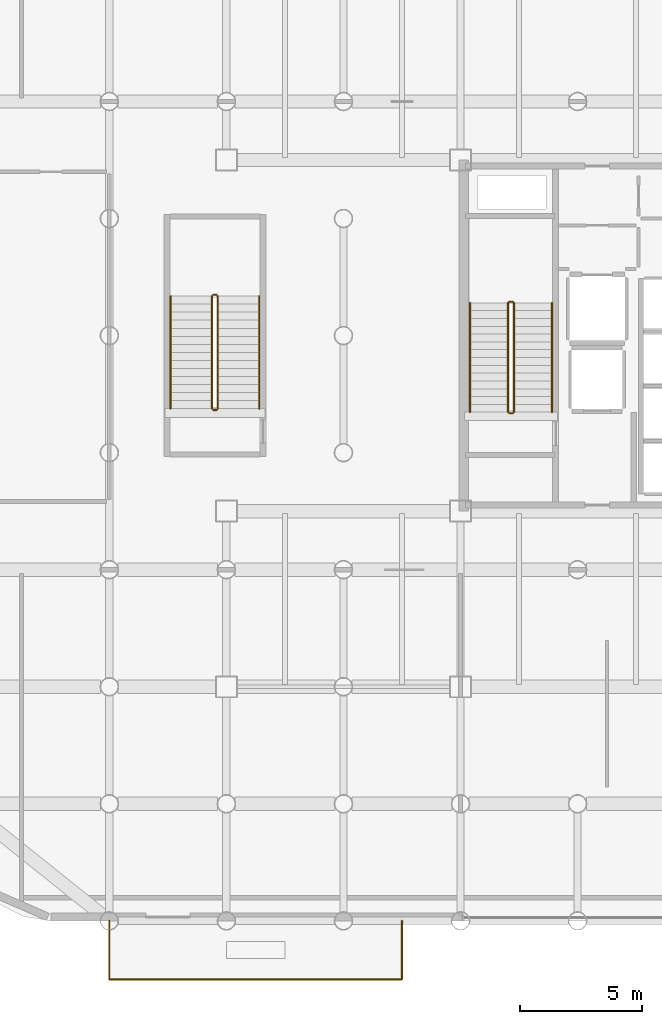
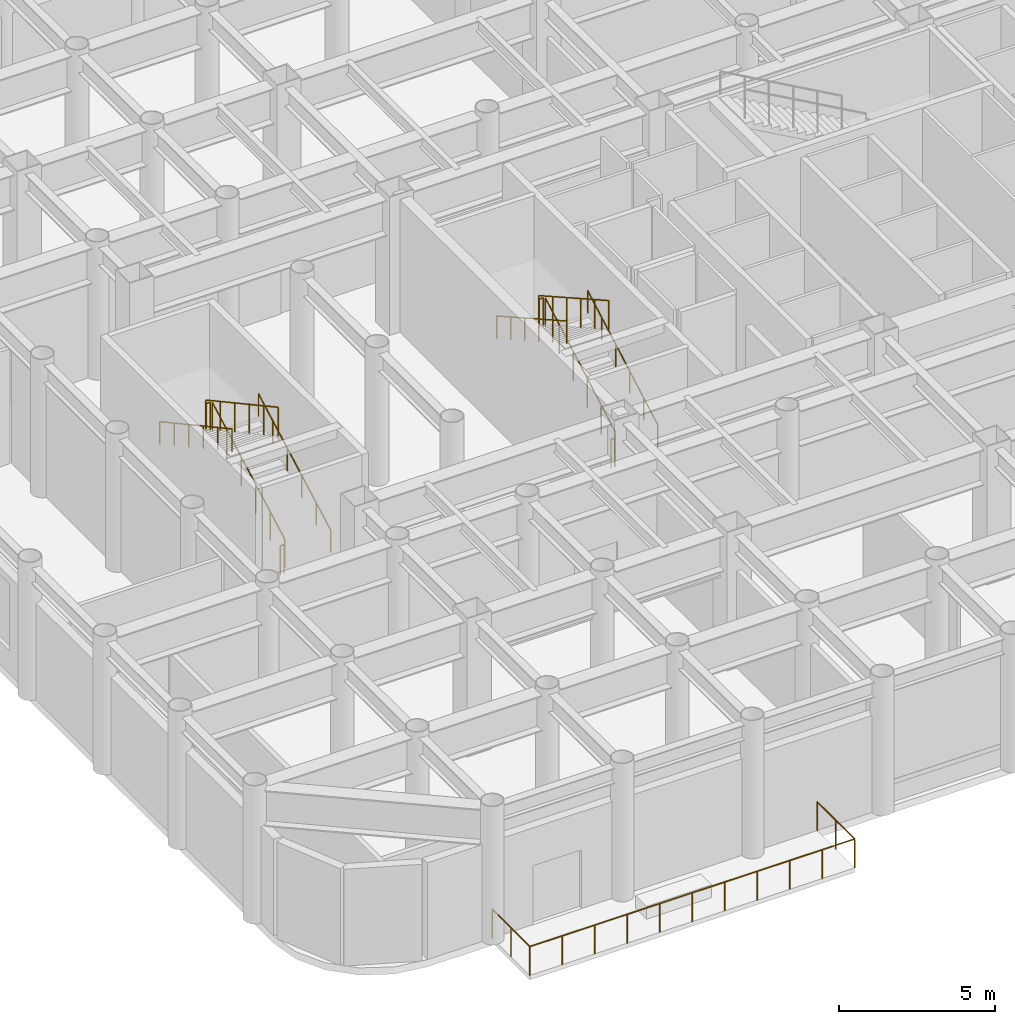
# One storey, part 16 of 17: 15 railings.
"""IFC4 building model written with IfcOpenShell, lengths in metres."""

from ifc_helpers import new_model, si_unit, direction, frame, origin, origin_2d, place, context, subcontext, project, spatial, circle, extrude, material, layer, layer_set, type_object, element, save


model = new_model("IFC4")

# Units and contexts
model_context = context("Model", 3, precision=1e-05, world=origin(), true_north=direction((0.0, 1.0)))
body_context = subcontext(model_context, "Body", "Model", "MODEL_VIEW")
ifc_project = project(units=[si_unit("LENGTHUNIT", "METRE"), si_unit("AREAUNIT", "SQUARE_METRE"), si_unit("VOLUMEUNIT", "CUBIC_METRE"), si_unit("PLANEANGLEUNIT", "RADIAN"), si_unit("MASSUNIT", "GRAM", prefix="KILO")], contexts=[model_context])

# Site, building, storey
site_placement = place(None, origin())
site = spatial("IfcSite", under=ifc_project, at=site_placement, CompositionType="ELEMENT")
building_placement = place(site_placement, origin())
building = spatial("IfcBuilding", under=site, at=building_placement, Name="Kallvorn Hotel Tower", CompositionType="ELEMENT")
storey_placement = place(building_placement, frame((0.0, 0.0, 19.199951171875)))
storey = spatial("IfcBuildingStorey", under=building, at=storey_placement, Name="L03", CompositionType="ELEMENT", Elevation=19.199951171875)

# Railings
ifc_material_1 = material(Name="Galvanised painted steel S275JR balustrade", Category="steel")
ifc_layer_1 = layer(ifc_material_1, 0.06005859375)
ifc_layer_set_1 = layer_set([ifc_layer_1], Name="RL_BALUSTRADE_1150")
railing_type_1 = type_object("IfcRailingType", Name="RL_BALUSTRADE_1150", PredefinedType="BALUSTRADE", material=ifc_layer_set_1)
railing_1_placement = place(storey_placement, frame((-28.800048828125, -24.0, 0.0)))
element("IfcRailing", 1, at=railing_1_placement, inside=storey, type_object=railing_type_1, Name="L03 Exterior Safety Guardrail TER-L03-S-01", PredefinedType="BALUSTRADE", context=body_context, shape_type="SweptSolid", body=[
    extrude(circle(Radius=0.02392578125, at=origin_2d()), frame((0.0, 0.0, 1.1259765625), z_axis=(0.0, -1.0, 0.0), x_axis=(1.0, 0.0, 0.0)), (0.0, 0.0, 1.0), 2.39990234375),
    extrude(circle(Radius=0.02099609375, at=origin_2d()), origin(), (0.0, 0.0, 1.0), 1.101806640625),
    extrude(circle(Radius=0.02099609375, at=origin_2d()), frame((0.0, -1.199951171875, 0.0)), (0.0, 0.0, 1.0), 1.101806640625),
    extrude(circle(Radius=0.02099609375, at=origin_2d()), frame((0.0, -2.39990234375, 0.0)), (0.0, 0.0, 1.0), 1.101806640625),
])
railing_2_placement = place(storey_placement, frame((-28.800048828125, -26.39990234375, 0.0)))
element("IfcRailing", 2, at=railing_2_placement, inside=storey, type_object=railing_type_1, Name="L03 Exterior Safety Guardrail TER-L03-S-02", PredefinedType="BALUSTRADE", context=body_context, shape_type="SweptSolid", body=[
    extrude(circle(Radius=0.02392578125, at=origin_2d()), frame((0.0, 0.0, 1.1259765625), z_axis=(1.0, 0.0, 0.0), x_axis=(0.0, 1.0, 0.0)), (0.0, 0.0, 1.0), 12.0),
    extrude(circle(Radius=0.02099609375, at=origin_2d()), origin(), (0.0, 0.0, 1.0), 1.101806640625),
    extrude(circle(Radius=0.02099609375, at=origin_2d()), frame((1.199951171875, 0.0, 0.0)), (0.0, 0.0, 1.0), 1.101806640625),
    extrude(circle(Radius=0.02099609375, at=origin_2d()), frame((2.39990234375, 0.0, 0.0)), (0.0, 0.0, 1.0), 1.101806640625),
    extrude(circle(Radius=0.02099609375, at=origin_2d()), frame((3.60009765625, 0.0, 0.0)), (0.0, 0.0, 1.0), 1.101806640625),
    extrude(circle(Radius=0.02099609375, at=origin_2d()), frame((4.800048828125, 0.0, 0.0)), (0.0, 0.0, 1.0), 1.101806640625),
    extrude(circle(Radius=0.02099609375, at=origin_2d()), frame((6.0, 0.0, 0.0)), (0.0, 0.0, 1.0), 1.101806640625),
    extrude(circle(Radius=0.02099609375, at=origin_2d()), frame((7.199951171875, 0.0, 0.0)), (0.0, 0.0, 1.0), 1.101806640625),
    extrude(circle(Radius=0.02099609375, at=origin_2d()), frame((8.39990234375, 0.0, 0.0)), (0.0, 0.0, 1.0), 1.101806640625),
    extrude(circle(Radius=0.02099609375, at=origin_2d()), frame((9.60009765625, 0.0, 0.0)), (0.0, 0.0, 1.0), 1.101806640625),
    extrude(circle(Radius=0.02099609375, at=origin_2d()), frame((10.800048828125, 0.0, 0.0)), (0.0, 0.0, 1.0), 1.101806640625),
    extrude(circle(Radius=0.02099609375, at=origin_2d()), frame((12.0, 0.0, 0.0)), (0.0, 0.0, 1.0), 1.101806640625),
])
railing_3_placement = place(storey_placement, frame((-16.800048828125, -26.39990234375, 0.0)))
element("IfcRailing", 3, at=railing_3_placement, inside=storey, type_object=railing_type_1, Name="L03 Exterior Safety Guardrail TER-L03-S-03", PredefinedType="BALUSTRADE", context=body_context, shape_type="SweptSolid", body=[
    extrude(circle(Radius=0.02392578125, at=origin_2d()), frame((0.0, 0.0, 1.1259765625), z_axis=(0.0, 1.0, 0.0), x_axis=(-1.0, 0.0, 0.0)), (0.0, 0.0, 1.0), 2.39990234375),
    extrude(circle(Radius=0.02099609375, at=origin_2d()), origin(), (0.0, 0.0, 1.0), 1.101806640625),
    extrude(circle(Radius=0.02099609375, at=origin_2d()), frame((0.0, 1.199951171875, 0.0)), (0.0, 0.0, 1.0), 1.101806640625),
    extrude(circle(Radius=0.02099609375, at=origin_2d()), frame((0.0, 2.39990234375, 0.0)), (0.0, 0.0, 1.0), 1.101806640625),
])
ifc_material_2 = material(Name="Brushed stainless-steel tubular railing", Category="steel")
ifc_layer_2 = layer(ifc_material_2, 0.050048828125)
ifc_layer_set_2 = layer_set([ifc_layer_2], Name="RL_STAIR_GUARD")
railing_type_2 = type_object("IfcRailingType", Name="RL_STAIR_GUARD", PredefinedType="GUARDRAIL", material=ifc_layer_set_2)
railing_4_placement = place(storey_placement, frame((-12.2099609375, -3.139892578125, 0.179931640625)))
element("IfcRailing", 4, at=railing_4_placement, inside=storey, type_object=railing_type_2, Name="L03 ST1 stair guard 1", PredefinedType="GUARDRAIL", context=body_context, shape_type="SweptSolid", body=[
    extrude(circle(Radius=0.02392578125, at=origin_2d()), frame((0.0, 0.0, 1.1259765625), z_axis=(0.0, 0.871573000172, 0.490265749743), x_axis=(-1.0, 0.0, 0.0)), (0.0, 0.0, 1.0), 5.14013671875),
    extrude(circle(Radius=0.02099609375, at=origin_2d()), origin(), (0.0, 0.0, 1.0), 1.101806640625),
    extrude(circle(Radius=0.02099609375, at=origin_2d()), frame((0.0, 0.89599609375, 0.50390625)), (0.0, 0.0, 1.0), 1.101806640625),
    extrude(circle(Radius=0.02099609375, at=origin_2d()), frame((0.0, 1.7919921875, 1.008056640625)), (0.0, 0.0, 1.0), 1.101806640625),
    extrude(circle(Radius=0.02099609375, at=origin_2d()), frame((0.0, 2.68798828125, 1.511962890625)), (0.0, 0.0, 1.0), 1.101806640625),
    extrude(circle(Radius=0.02099609375, at=origin_2d()), frame((0.0, 3.583984375, 2.01611328125)), (0.0, 0.0, 1.0), 1.101806640625),
    extrude(circle(Radius=0.02099609375, at=origin_2d()), frame((0.0, 4.47998046875, 2.52001953125)), (0.0, 0.0, 1.0), 1.101806640625),
])
railing_5_placement = place(storey_placement, frame((-12.260009765625, 1.389892578125, 2.699951171875)))
element("IfcRailing", 5, at=railing_5_placement, inside=storey, type_object=railing_type_2, Name="L03 ST1 stair guard 2", PredefinedType="GUARDRAIL", context=body_context, shape_type="SweptSolid", body=[
    extrude(circle(Radius=0.02392578125, at=origin_2d()), frame((0.0, 0.0, 1.1259765625), z_axis=(-1.0, 0.0, 0.0), x_axis=(0.0, -1.0, 0.0)), (0.0, 0.0, 1.0), 0.139892578125),
    extrude(circle(Radius=0.02099609375, at=origin_2d()), origin(), (0.0, 0.0, 1.0), 1.101806640625),
    extrude(circle(Radius=0.02099609375, at=origin_2d()), frame((-0.139892578125, 0.0, 0.0)), (0.0, 0.0, 1.0), 1.101806640625),
])
railing_6_placement = place(storey_placement, frame((-12.449951171875, 1.340087890625, 2.880126953125)))
element("IfcRailing", 6, at=railing_6_placement, inside=storey, type_object=railing_type_2, Name="L03 ST1 stair guard 3", PredefinedType="GUARDRAIL", context=body_context, shape_type="SweptSolid", body=[
    extrude(circle(Radius=0.02392578125, at=origin_2d()), frame((0.0, 0.0, 1.1259765625), z_axis=(0.0, -0.871573000172, 0.490265749743), x_axis=(1.0, 0.0, 0.0)), (0.0, 0.0, 1.0), 5.14013671875),
    extrude(circle(Radius=0.02099609375, at=origin_2d()), origin(), (0.0, 0.0, 1.0), 1.101806640625),
    extrude(circle(Radius=0.02099609375, at=origin_2d()), frame((0.0, -0.89599609375, 0.50390625)), (0.0, 0.0, 1.0), 1.101806640625),
    extrude(circle(Radius=0.02099609375, at=origin_2d()), frame((0.0, -1.7919921875, 1.008056640625)), (0.0, 0.0, 1.0), 1.101806640625),
    extrude(circle(Radius=0.02099609375, at=origin_2d()), frame((0.0, -2.68798828125, 1.511962890625)), (0.0, 0.0, 1.0), 1.101806640625),
    extrude(circle(Radius=0.02099609375, at=origin_2d()), frame((0.0, -3.583984375, 2.01611328125)), (0.0, 0.0, 1.0), 1.101806640625),
    extrude(circle(Radius=0.02099609375, at=origin_2d()), frame((0.0, -4.47998046875, 2.52001953125)), (0.0, 0.0, 1.0), 1.101806640625),
])
railing_7_placement = place(storey_placement, frame((-12.260009765625, -3.18994140625, 0.0)))
element("IfcRailing", 7, at=railing_7_placement, inside=storey, type_object=railing_type_2, Name="L03 ST1 stair guard 4", PredefinedType="GUARDRAIL", context=body_context, shape_type="SweptSolid", body=[
    extrude(circle(Radius=0.02392578125, at=origin_2d()), frame((0.0, 0.0, 1.1259765625), z_axis=(-1.0, 0.0, 0.0), x_axis=(0.0, -1.0, 0.0)), (0.0, 0.0, 1.0), 0.139892578125),
    extrude(circle(Radius=0.02099609375, at=origin_2d()), origin(), (0.0, 0.0, 1.0), 1.101806640625),
    extrude(circle(Radius=0.02099609375, at=origin_2d()), frame((-0.139892578125, 0.0, 0.0)), (0.0, 0.0, 1.0), 1.101806640625),
])
railing_8_placement = place(storey_placement, frame((-24.35009765625, -3.0, 0.179931640625)))
element("IfcRailing", 8, at=railing_8_placement, inside=storey, type_object=railing_type_2, Name="L03 ST4 stair guard 1", PredefinedType="GUARDRAIL", context=body_context, shape_type="SweptSolid", body=[
    extrude(circle(Radius=0.02392578125, at=origin_2d()), frame((0.0, 0.0, 1.1259765625), z_axis=(0.0, 0.877899118682, 0.478845630049), x_axis=(-1.0, 0.0, 0.0)), (0.0, 0.0, 1.0), 5.2626953125),
    extrude(circle(Radius=0.02099609375, at=origin_2d()), origin(), (0.0, 0.0, 1.0), 1.101806640625),
    extrude(circle(Radius=0.02099609375, at=origin_2d()), frame((0.0, 0.924072265625, 0.50390625)), (0.0, 0.0, 1.0), 1.101806640625),
    extrude(circle(Radius=0.02099609375, at=origin_2d()), frame((0.0, 1.84814453125, 1.008056640625)), (0.0, 0.0, 1.0), 1.101806640625),
    extrude(circle(Radius=0.02099609375, at=origin_2d()), frame((0.0, 2.77197265625, 1.511962890625)), (0.0, 0.0, 1.0), 1.101806640625),
    extrude(circle(Radius=0.02099609375, at=origin_2d()), frame((0.0, 3.696044921875, 2.01611328125)), (0.0, 0.0, 1.0), 1.101806640625),
    extrude(circle(Radius=0.02099609375, at=origin_2d()), frame((0.0, 4.6201171875, 2.52001953125)), (0.0, 0.0, 1.0), 1.101806640625),
])
railing_9_placement = place(storey_placement, frame((-24.39990234375, 1.669921875, 2.699951171875)))
element("IfcRailing", 9, at=railing_9_placement, inside=storey, type_object=railing_type_2, Name="L03 ST4 stair guard 2", PredefinedType="GUARDRAIL", context=body_context, shape_type="SweptSolid", body=[
    extrude(circle(Radius=0.02392578125, at=origin_2d()), frame((0.0, 0.0, 1.1259765625), z_axis=(-1.0, 0.0, 0.0), x_axis=(0.0, -1.0, 0.0)), (0.0, 0.0, 1.0), 0.14013671875),
    extrude(circle(Radius=0.02099609375, at=origin_2d()), origin(), (0.0, 0.0, 1.0), 1.101806640625),
    extrude(circle(Radius=0.02099609375, at=origin_2d()), frame((-0.14013671875, 0.0, 0.0)), (0.0, 0.0, 1.0), 1.101806640625),
])
railing_10_placement = place(storey_placement, frame((-24.590087890625, 1.6201171875, 2.880126953125)))
element("IfcRailing", 10, at=railing_10_placement, inside=storey, type_object=railing_type_2, Name="L03 ST4 stair guard 3", PredefinedType="GUARDRAIL", context=body_context, shape_type="SweptSolid", body=[
    extrude(circle(Radius=0.02392578125, at=origin_2d()), frame((0.0, 0.0, 1.1259765625), z_axis=(0.0, -0.877899118682, 0.478845630049), x_axis=(1.0, 0.0, 0.0)), (0.0, 0.0, 1.0), 5.2626953125),
    extrude(circle(Radius=0.02099609375, at=origin_2d()), origin(), (0.0, 0.0, 1.0), 1.101806640625),
    extrude(circle(Radius=0.02099609375, at=origin_2d()), frame((0.0, -0.924072265625, 0.50390625)), (0.0, 0.0, 1.0), 1.101806640625),
    extrude(circle(Radius=0.02099609375, at=origin_2d()), frame((0.0, -1.84814453125, 1.008056640625)), (0.0, 0.0, 1.0), 1.101806640625),
    extrude(circle(Radius=0.02099609375, at=origin_2d()), frame((0.0, -2.77197265625, 1.511962890625)), (0.0, 0.0, 1.0), 1.101806640625),
    extrude(circle(Radius=0.02099609375, at=origin_2d()), frame((0.0, -3.696044921875, 2.01611328125)), (0.0, 0.0, 1.0), 1.101806640625),
    extrude(circle(Radius=0.02099609375, at=origin_2d()), frame((0.0, -4.6201171875, 2.52001953125)), (0.0, 0.0, 1.0), 1.101806640625),
])
railing_11_placement = place(storey_placement, frame((-24.39990234375, -3.050048828125, 0.0)))
element("IfcRailing", 11, at=railing_11_placement, inside=storey, type_object=railing_type_2, Name="L03 ST4 stair guard 4", PredefinedType="GUARDRAIL", context=body_context, shape_type="SweptSolid", body=[
    extrude(circle(Radius=0.02392578125, at=origin_2d()), frame((0.0, 0.0, 1.1259765625), z_axis=(-1.0, 0.0, 0.0), x_axis=(0.0, -1.0, 0.0)), (0.0, 0.0, 1.0), 0.14013671875),
    extrude(circle(Radius=0.02099609375, at=origin_2d()), origin(), (0.0, 0.0, 1.0), 1.101806640625),
    extrude(circle(Radius=0.02099609375, at=origin_2d()), frame((-0.14013671875, 0.0, 0.0)), (0.0, 0.0, 1.0), 1.101806640625),
])
ifc_material_3 = material(Name="Brushed stainless-steel tubular railing", Category="steel")
ifc_layer_3 = layer(ifc_material_3, 0.050048828125)
ifc_layer_set_3 = layer_set([ifc_layer_3], Name="RL_STAIR_HAND")
railing_type_3 = type_object("IfcRailingType", Name="RL_STAIR_HAND", PredefinedType="HANDRAIL", material=ifc_layer_set_3)
railing_12_placement = place(storey_placement, frame((-10.64990234375, -3.139892578125, 0.179931640625)))
element("IfcRailing", 12, at=railing_12_placement, inside=storey, type_object=railing_type_3, Name="L03 ST1 stair handrail 1", PredefinedType="HANDRAIL", context=body_context, shape_type="SweptSolid", body=[
    extrude(circle(Radius=0.02392578125, at=origin_2d()), frame((0.0, 0.0, 0.8759765625), z_axis=(0.0, 0.871573000172, 0.490265749743), x_axis=(-1.0, 0.0, 0.0)), (0.0, 0.0, 1.0), 5.14013671875),
    extrude(circle(Radius=0.02099609375, at=origin_2d()), origin(), (0.0, 0.0, 1.0), 0.851806640625),
    extrude(circle(Radius=0.02099609375, at=origin_2d()), frame((0.0, 0.89599609375, 0.50390625)), (0.0, 0.0, 1.0), 0.851806640625),
    extrude(circle(Radius=0.02099609375, at=origin_2d()), frame((0.0, 1.7919921875, 1.008056640625)), (0.0, 0.0, 1.0), 0.851806640625),
    extrude(circle(Radius=0.02099609375, at=origin_2d()), frame((0.0, 2.68798828125, 1.511962890625)), (0.0, 0.0, 1.0), 0.851806640625),
    extrude(circle(Radius=0.02099609375, at=origin_2d()), frame((0.0, 3.583984375, 2.01611328125)), (0.0, 0.0, 1.0), 0.851806640625),
    extrude(circle(Radius=0.02099609375, at=origin_2d()), frame((0.0, 4.47998046875, 2.52001953125)), (0.0, 0.0, 1.0), 0.851806640625),
])
railing_13_placement = place(storey_placement, frame((-14.010009765625, 1.340087890625, 2.880126953125)))
element("IfcRailing", 13, at=railing_13_placement, inside=storey, type_object=railing_type_3, Name="L03 ST1 stair handrail 2", PredefinedType="HANDRAIL", context=body_context, shape_type="SweptSolid", body=[
    extrude(circle(Radius=0.02392578125, at=origin_2d()), frame((0.0, 0.0, 0.8759765625), z_axis=(0.0, -0.871573000172, 0.490265749743), x_axis=(1.0, 0.0, 0.0)), (0.0, 0.0, 1.0), 5.14013671875),
    extrude(circle(Radius=0.02099609375, at=origin_2d()), origin(), (0.0, 0.0, 1.0), 0.851806640625),
    extrude(circle(Radius=0.02099609375, at=origin_2d()), frame((0.0, -0.89599609375, 0.50390625)), (0.0, 0.0, 1.0), 0.851806640625),
    extrude(circle(Radius=0.02099609375, at=origin_2d()), frame((0.0, -1.7919921875, 1.008056640625)), (0.0, 0.0, 1.0), 0.851806640625),
    extrude(circle(Radius=0.02099609375, at=origin_2d()), frame((0.0, -2.68798828125, 1.511962890625)), (0.0, 0.0, 1.0), 0.851806640625),
    extrude(circle(Radius=0.02099609375, at=origin_2d()), frame((0.0, -3.583984375, 2.01611328125)), (0.0, 0.0, 1.0), 0.851806640625),
    extrude(circle(Radius=0.02099609375, at=origin_2d()), frame((0.0, -4.47998046875, 2.52001953125)), (0.0, 0.0, 1.0), 0.851806640625),
])
railing_14_placement = place(storey_placement, frame((-22.64990234375, -3.0, 0.179931640625)))
element("IfcRailing", 14, at=railing_14_placement, inside=storey, type_object=railing_type_3, Name="L03 ST4 stair handrail 1", PredefinedType="HANDRAIL", context=body_context, shape_type="SweptSolid", body=[
    extrude(circle(Radius=0.02392578125, at=origin_2d()), frame((0.0, 0.0, 0.8759765625), z_axis=(0.0, 0.877899118682, 0.478845630049), x_axis=(-1.0, 0.0, 0.0)), (0.0, 0.0, 1.0), 5.2626953125),
    extrude(circle(Radius=0.02099609375, at=origin_2d()), origin(), (0.0, 0.0, 1.0), 0.851806640625),
    extrude(circle(Radius=0.02099609375, at=origin_2d()), frame((0.0, 0.924072265625, 0.50390625)), (0.0, 0.0, 1.0), 0.851806640625),
    extrude(circle(Radius=0.02099609375, at=origin_2d()), frame((0.0, 1.84814453125, 1.008056640625)), (0.0, 0.0, 1.0), 0.851806640625),
    extrude(circle(Radius=0.02099609375, at=origin_2d()), frame((0.0, 2.77197265625, 1.511962890625)), (0.0, 0.0, 1.0), 0.851806640625),
    extrude(circle(Radius=0.02099609375, at=origin_2d()), frame((0.0, 3.696044921875, 2.01611328125)), (0.0, 0.0, 1.0), 0.851806640625),
    extrude(circle(Radius=0.02099609375, at=origin_2d()), frame((0.0, 4.6201171875, 2.52001953125)), (0.0, 0.0, 1.0), 0.851806640625),
])
railing_15_placement = place(storey_placement, frame((-26.2900390625, 1.6201171875, 2.880126953125)))
element("IfcRailing", 15, at=railing_15_placement, inside=storey, type_object=railing_type_3, Name="L03 ST4 stair handrail 2", PredefinedType="HANDRAIL", context=body_context, shape_type="SweptSolid", body=[
    extrude(circle(Radius=0.02392578125, at=origin_2d()), frame((0.0, 0.0, 0.8759765625), z_axis=(0.0, -0.877899118682, 0.478845630049), x_axis=(1.0, 0.0, 0.0)), (0.0, 0.0, 1.0), 5.2626953125),
    extrude(circle(Radius=0.02099609375, at=origin_2d()), origin(), (0.0, 0.0, 1.0), 0.851806640625),
    extrude(circle(Radius=0.02099609375, at=origin_2d()), frame((0.0, -0.924072265625, 0.50390625)), (0.0, 0.0, 1.0), 0.851806640625),
    extrude(circle(Radius=0.02099609375, at=origin_2d()), frame((0.0, -1.84814453125, 1.008056640625)), (0.0, 0.0, 1.0), 0.851806640625),
    extrude(circle(Radius=0.02099609375, at=origin_2d()), frame((0.0, -2.77197265625, 1.511962890625)), (0.0, 0.0, 1.0), 0.851806640625),
    extrude(circle(Radius=0.02099609375, at=origin_2d()), frame((0.0, -3.696044921875, 2.01611328125)), (0.0, 0.0, 1.0), 0.851806640625),
    extrude(circle(Radius=0.02099609375, at=origin_2d()), frame((0.0, -4.6201171875, 2.52001953125)), (0.0, 0.0, 1.0), 0.851806640625),
])

save(model, "model.ifc")
